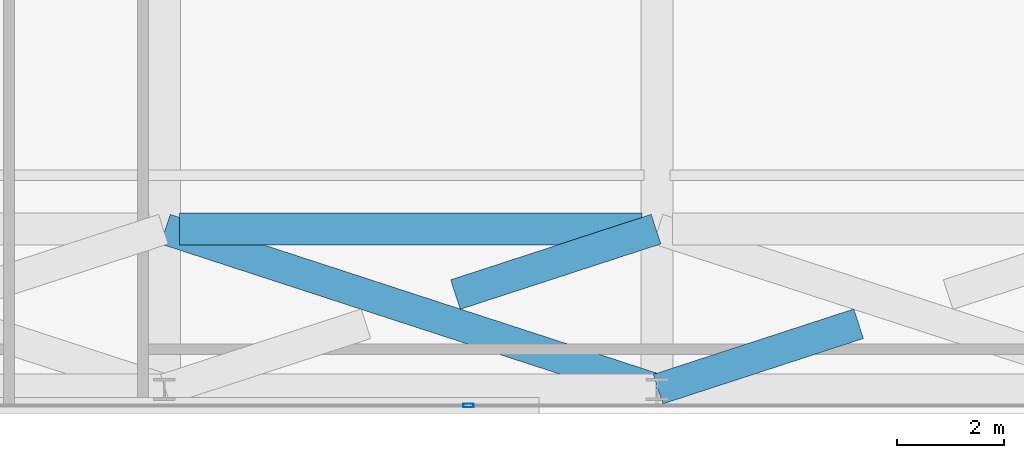
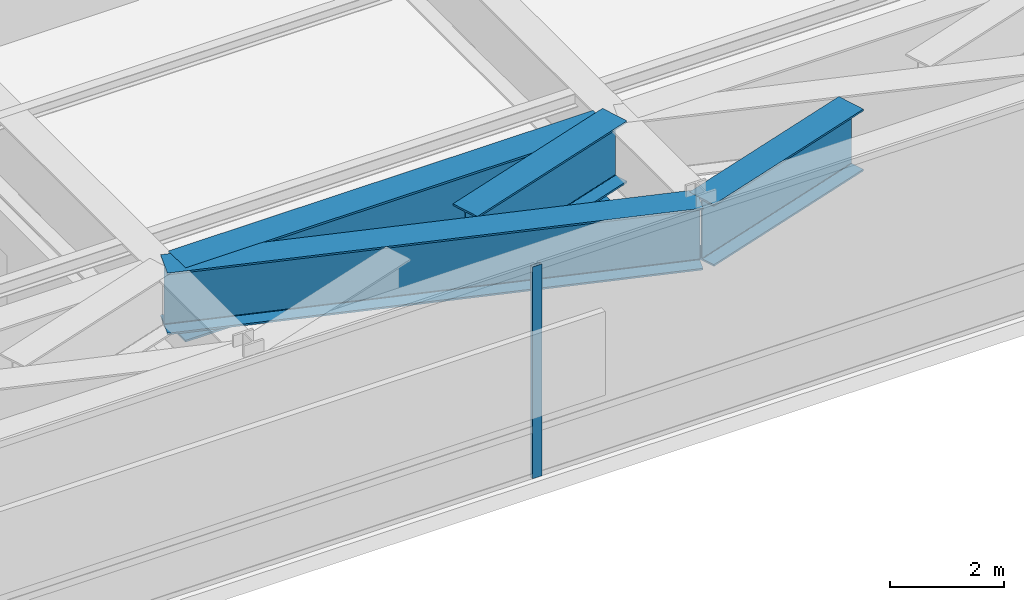
# One storey, part 12 of 30: 4 beams, 1 member, 1 element without a shape of its own.
"""IFC4 building model written with IfcOpenShell, lengths in metres."""

from ifc_helpers import new_model, si_unit, direction, frame, origin, origin_2d, place, context, subcontext, project, spatial, hollow_rectangle, i_section, extrude, source, transform, mapped, material, layer, layer_set, material_profile, profile_set, type_object, type_shapes, element, aggregate, save


model = new_model("IFC4")

# Units and contexts
model_context = context("Model", 3, precision=1e-05, world=origin(), true_north=direction((0.0, 1.0)))
body_context = subcontext(model_context, "Body", "Model", "MODEL_VIEW")
ifc_project = project(units=[si_unit("LENGTHUNIT", "METRE"), si_unit("AREAUNIT", "SQUARE_METRE"), si_unit("VOLUMEUNIT", "CUBIC_METRE"), si_unit("PLANEANGLEUNIT", "RADIAN"), si_unit("MASSUNIT", "GRAM", prefix="KILO")], contexts=[model_context])

# Site, building, storey
site_placement = place(None, origin())
site = spatial("IfcSite", under=ifc_project, at=site_placement, CompositionType="ELEMENT")
building_placement = place(site_placement, origin())
building = spatial("IfcBuilding", under=site, at=building_placement, Name="Varnel Quay Broadcast Tower", CompositionType="ELEMENT")
storey_placement = place(building_placement, frame((0.0, 0.0, 82.199951171875)))
storey = spatial("IfcBuildingStorey", under=building, at=storey_placement, Name="L19", CompositionType="ELEMENT", Elevation=82.199951171875)

# Beams
ifc_material_1 = material(Name="Structural Steel CSA G40.21 350WT", Category="steel")
ifc_material_profile_1 = material_profile(ifc_material_1, i_section(OverallWidth=0.60009765625, OverallDepth=1.60009765625, WebThickness=0.02392578125, FlangeThickness=0.0419921875, FilletRadius=0.02197265625, at=origin_2d()), Name="WWF1600X620")
ifc_profile_set_1 = profile_set([ifc_material_profile_1], Name="Structural Steel CSA G40.21 350WT")
beam_type_1 = type_object("IfcBeamType", Name="Girder_WWF1600X620", PredefinedType="BEAM", material=ifc_profile_set_1)
shared_shape_1 = source(origin(), body_context, "Body", "SweptSolid", [
    extrude(i_section(OverallWidth=0.60009765625, OverallDepth=1.60009765625, WebThickness=0.02392578125, FlangeThickness=0.0419921875, FilletRadius=0.02197265625, at=origin_2d()), origin(), (0.0, 0.0, 1.0), 8.630126953125),
])
type_shapes(beam_type_1, [shared_shape_1])
beam_1_placement = place(storey_placement, frame((34.284912109375, 4.64990234375, 3.75), z_axis=(1.0, 0.0, 0.0), x_axis=(0.0, 1.0, 0.0)))
element("IfcBeam", 1, at=beam_1_placement, inside=storey, type_object=beam_type_1, Name="L19 Setback South Transfer Header 4", PredefinedType="BEAM", context=body_context, shape_type="MappedRepresentation", body=[
    mapped(shared_shape_1, transform((0.0, 0.0, 0.0), x_axis=(1.0, 0.0, 0.0), y_axis=(0.0, 1.0, 0.0), z_axis=(0.0, 0.0, 1.0), scale=1.0)),
])
ifc_material_profile_2 = material_profile(ifc_material_1, i_section(OverallWidth=0.580078125, OverallDepth=1.330078125, WebThickness=0.02197265625, FlangeThickness=0.0380859375, FilletRadius=0.02001953125, at=origin_2d()), Name="WWF1330X535")
ifc_profile_set_2 = profile_set([ifc_material_profile_2], Name="Structural Steel CSA G40.21 350WT")
beam_type_2 = type_object("IfcBeamType", Name="Girder_WWF1330X535", PredefinedType="BEAM", material=ifc_profile_set_2)
shared_shape_2 = source(origin(), body_context, "Body", "SweptSolid", [
    extrude(i_section(OverallWidth=0.580078125, OverallDepth=1.330078125, WebThickness=0.02197265625, FlangeThickness=0.0380859375, FilletRadius=0.02001953125, at=origin_2d()), origin(), (0.0, 0.0, 1.0), 9.63671875),
])
beam_2_placement = place(storey_placement, frame((43.180908203125, 1.65625, 3.885009765625), z_axis=(-0.950730326475, 0.310019106379, 0.0), x_axis=(-0.310019106379, -0.950730326475, 0.0)))
element("IfcBeam", 2, at=beam_2_placement, inside=storey, type_object=beam_type_2, Name="L19 X-Braced Transfer Tie TC-S3-TC-S4", PredefinedType="BEAM", context=body_context, shape_type="MappedRepresentation", body=[
    mapped(shared_shape_2, transform((0.0, 0.0, 0.0), x_axis=(1.0, 0.0, 0.0), y_axis=(0.0, 1.0, 0.0), z_axis=(0.0, 0.0, 1.0), scale=1.0)),
])
shared_shape_3 = source(origin(), body_context, "Body", "SweptSolid", [
    extrude(i_section(OverallWidth=0.580078125, OverallDepth=1.330078125, WebThickness=0.02197265625, FlangeThickness=0.0380859375, FilletRadius=0.02001953125, at=origin_2d()), origin(), (0.0, 0.0, 1.0), 3.939453125),
])
beam_3_placement = place(storey_placement, frame((43.218994140625, 1.65625, 3.885009765625), z_axis=(0.950738972318, 0.309992591065, 0.0), x_axis=(-0.309992591065, 0.950738972318, 0.0)))
element("IfcBeam", 3, at=beam_3_placement, inside=storey, type_object=beam_type_2, Name="L19 X-Braced Transfer Tie TC-S5-TC-S4 Part 1", PredefinedType="BEAM", context=body_context, shape_type="MappedRepresentation", body=[
    mapped(shared_shape_3, transform((0.0, 0.0, 0.0), x_axis=(1.0, 0.0, 0.0), y_axis=(0.0, 1.0, 0.0), z_axis=(0.0, 0.0, 1.0), scale=1.0)),
])
shared_shape_4 = source(origin(), body_context, "Body", "SweptSolid", [
    extrude(i_section(OverallWidth=0.580078125, OverallDepth=1.330078125, WebThickness=0.02197265625, FlangeThickness=0.0380859375, FilletRadius=0.02001953125, at=origin_2d()), origin(), (0.0, 0.0, 1.0), 3.939208984375),
])
type_shapes(beam_type_2, [shared_shape_2, shared_shape_3, shared_shape_4])
beam_4_placement = place(storey_placement, frame((39.435791015625, 3.422607421875, 3.885009765625), z_axis=(0.950733016401, 0.310010857108, 0.0), x_axis=(-0.310010857108, 0.950733016401, 0.0)))
element("IfcBeam", 4, at=beam_4_placement, inside=storey, type_object=beam_type_2, Name="L19 X-Braced Transfer Tie TC-S4-TC-S3 Part 2", PredefinedType="BEAM", context=body_context, shape_type="MappedRepresentation", body=[
    mapped(shared_shape_4, transform((0.0, 0.0, 0.0), x_axis=(1.0, 0.0, 0.0), y_axis=(0.0, 1.0, 0.0), z_axis=(0.0, 0.0, 1.0), scale=1.0)),
])

# Curtain wall, member
ifc_material_2 = material(Name="Anodised Bronze Aluminium 6063-T6", Category="aluminium")
ifc_layer = layer(ifc_material_2, 0.18994140625, Name="Anodised Bronze Aluminium 6063-T6")
ifc_layer_set = layer_set([ifc_layer], Name="Anodised Bronze Aluminium 6063-T6")
curtain_wall_type = type_object("IfcCurtainWallType", Name="CW_LowerTower", PredefinedType="NOTDEFINED", material=ifc_layer_set)
curtain_wall_placement = place(storey_placement, origin())
curtain_wall = element("IfcCurtainWall", 5, at=curtain_wall_placement, inside=storey, type_object=curtain_wall_type, Name="L19 South Unitised Curtain Wall 1", PredefinedType="NOTDEFINED")
ifc_material_profile_3 = material_profile(ifc_material_2, hollow_rectangle(XDim=0.070068359375, YDim=0.18994140625, WallThickness=0.00390625, at=origin_2d()), Name="ALU70X190X4")
ifc_profile_set_3 = profile_set([ifc_material_profile_3], Name="Anodised Bronze Aluminium 6063-T6")
member_type = type_object("IfcMemberType", Name="Mull_CWS-02", PredefinedType="MULLION", material=ifc_profile_set_3)
shared_shape_5 = source(origin(), body_context, "Body", "SweptSolid", [
    extrude(hollow_rectangle(XDim=0.070068359375, YDim=0.18994140625, WallThickness=0.00390625, at=origin_2d()), origin(), (0.0, 0.0, 1.0), 4.550048828125),
])
type_shapes(member_type, [shared_shape_5])
member_placement = place(storey_placement, frame((39.679931640625, 1.35009765625, 0.0), z_axis=(0.0, 0.0, 1.0), x_axis=(0.0, 1.0, 0.0)))
member = element("IfcMember", 6, at=member_placement, type_object=member_type, Name="CWS-02 mullion 4", PredefinedType="MULLION", context=body_context, shape_type="MappedRepresentation", body=[
    mapped(shared_shape_5, transform((0.0, 0.0, 0.0), x_axis=(1.0, 0.0, 0.0), y_axis=(0.0, 1.0, 0.0), z_axis=(0.0, 0.0, 1.0), scale=1.0)),
])
aggregate(curtain_wall, [member])

save(model, "model.ifc")
